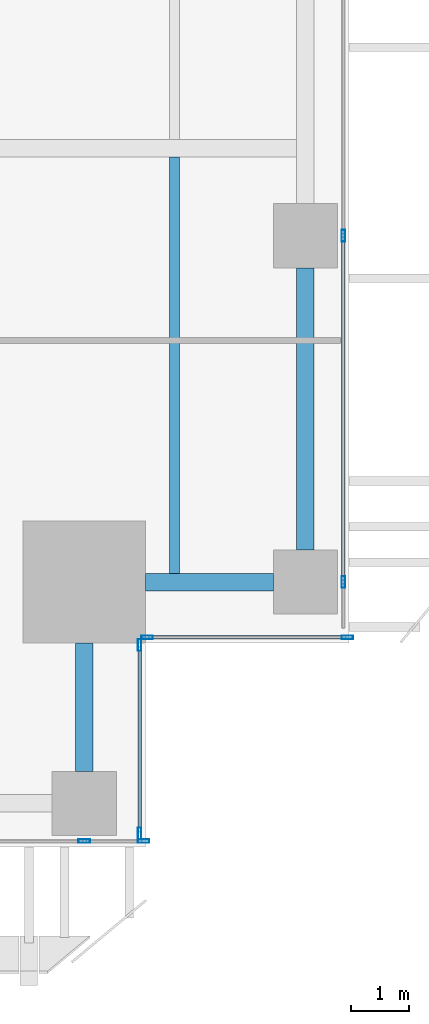
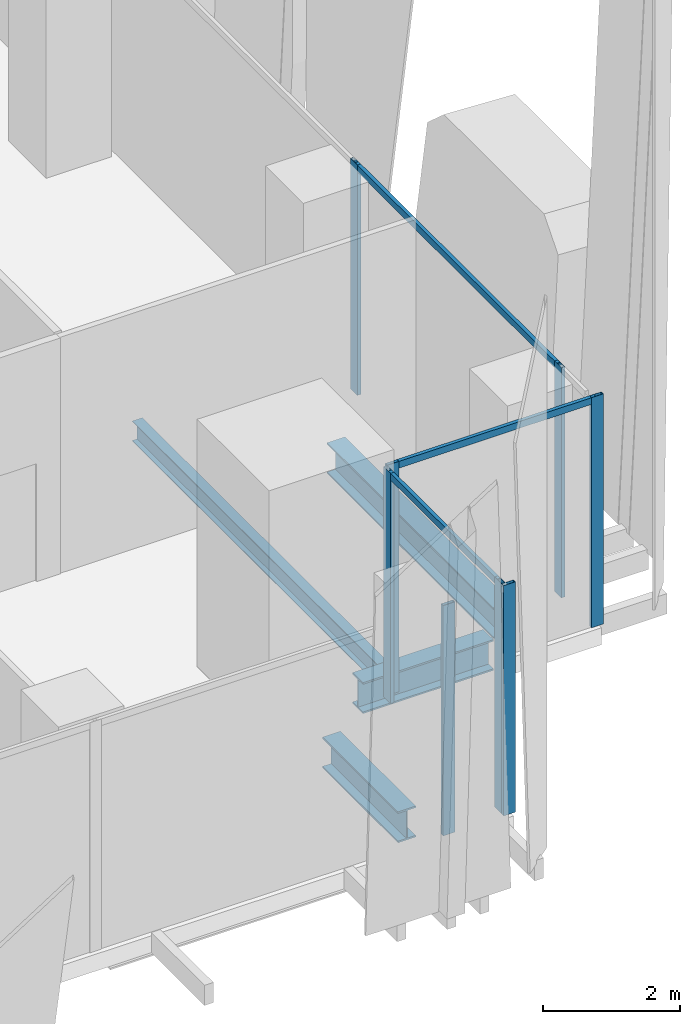
# One storey, part 9 of 34: 11 members, 4 beams, 4 elements without a shape of their own.
"""IFC4 building model written with IfcOpenShell, lengths in metres."""

from ifc_helpers import new_model, si_unit, direction, frame, origin, origin_2d, place, context, subcontext, project, spatial, hollow_rectangle, i_section, extrude, source, transform, mapped, material, material_profile, profile_set, type_object, element, aggregate, save


model = new_model("IFC4")

# Units and contexts
model_context = context("Model", 3, precision=1e-05, world=origin(), true_north=direction((0.0, 1.0)))
body_context = subcontext(model_context, "Body", "Model", "MODEL_VIEW")
ifc_project = project(units=[si_unit("LENGTHUNIT", "METRE"), si_unit("AREAUNIT", "SQUARE_METRE"), si_unit("VOLUMEUNIT", "CUBIC_METRE"), si_unit("PLANEANGLEUNIT", "RADIAN"), si_unit("MASSUNIT", "GRAM", prefix="KILO")], contexts=[model_context])

# Site, building, storey
site_placement = place(None, origin())
site = spatial("IfcSite", under=ifc_project, at=site_placement, CompositionType="ELEMENT")
building_placement = place(site_placement, origin())
building = spatial("IfcBuilding", under=site, at=building_placement, Name="Khomas Fold Tower", CompositionType="ELEMENT")
storey_placement = place(building_placement, frame((0.0, 0.0, 114.699951171875)))
storey = spatial("IfcBuildingStorey", under=building, at=storey_placement, Name="L24", CompositionType="ELEMENT", Elevation=114.699951171875)

# Beams
ifc_material_1 = material(Name="Steel S355", Category="steel")
ifc_material_profile_1 = material_profile(ifc_material_1, i_section(OverallWidth=0.169921875, OverallDepth=0.360107421875, WebThickness=0.008056640625, FlangeThickness=0.0126953125, at=origin_2d()), Name="IPE 360")
ifc_profile_set_1 = profile_set([ifc_material_profile_1], Name="Steel S355")
beam_type_1 = type_object("IfcBeamType", Name="IPE 360 beam JB2", PredefinedType="BEAM", material=ifc_profile_set_1)
shared_shape_1 = source(origin(), body_context, "Body", "SweptSolid", [
    extrude(i_section(OverallWidth=0.169921875, OverallDepth=0.360107421875, WebThickness=0.008056640625, FlangeThickness=0.0126953125, at=origin_2d()), origin(), (0.0, 0.0, 1.0), 7.150146484375),
])
beam_1_placement = place(storey_placement, frame((49.5, 6.199951171875, -0.47998046875), z_axis=(0.0, 1.0, 0.0), x_axis=(-1.0, 0.0, 0.0)))
element("IfcBeam", 1, at=beam_1_placement, inside=storey, type_object=beam_type_1, Name="JB2", PredefinedType="BEAM", context=body_context, shape_type="MappedRepresentation", body=[
    mapped(shared_shape_1, transform((0.0, 0.0, 0.0))),
])
ifc_material_2 = material(Name="Steel S355", Category="steel")
ifc_material_profile_2 = material_profile(ifc_material_2, i_section(OverallWidth=0.300048828125, OverallDepth=0.550048828125, WebThickness=0.014892578125, FlangeThickness=0.029052734375, at=origin_2d()), Name="HE 550 B")
ifc_profile_set_2 = profile_set([ifc_material_profile_2], Name="Steel S355")
beam_type_2 = type_object("IfcBeamType", Name="HE 550 B spandrel SB2", PredefinedType="SPANDREL", material=ifc_profile_set_2)
shared_shape_2 = source(origin(), body_context, "Body", "SweptSolid", [
    extrude(i_section(OverallWidth=0.300048828125, OverallDepth=0.550048828125, WebThickness=0.014892578125, FlangeThickness=0.029052734375, at=origin_2d()), origin(), (0.0, 0.0, 1.0), 4.849853515625),
])
beam_2_placement = place(storey_placement, frame((51.75, 6.60009765625, -0.574951171875), z_axis=(0.0, 1.0, 0.0), x_axis=(-1.0, 0.0, 0.0)))
element("IfcBeam", 2, at=beam_2_placement, inside=storey, type_object=beam_type_2, Name="SB2", PredefinedType="SPANDREL", context=body_context, shape_type="MappedRepresentation", body=[
    mapped(shared_shape_2, transform((0.0, 0.0, 0.0))),
])
shared_shape_3 = source(origin(), body_context, "Body", "SweptSolid", [
    extrude(i_section(OverallWidth=0.300048828125, OverallDepth=0.550048828125, WebThickness=0.014892578125, FlangeThickness=0.029052734375, at=origin_2d()), origin(), (0.0, 0.0, 1.0), 2.199951171875),
])
for number, where, z_axis, x_axis, name in (
    (3, (47.949951171875, 2.800048828125, -0.574951171875), (0.0, 1.0, 0.0), (-1.0, 0.0, 0.0), "SB2"),
    (4, (49.0, 6.050048828125, -0.574951171875), (1.0, 0.0, 0.0), (0.0, 1.0, 0.0), "SB2"),
):
    element("IfcBeam", number, at=place(storey_placement, frame(where, z_axis=z_axis, x_axis=x_axis)), inside=storey, type_object=beam_type_2, Name=name, PredefinedType="SPANDREL", context=body_context, shape_type="MappedRepresentation", body=[
        mapped(shared_shape_3, transform((0.0, 0.0, 0.0))),
    ])

# Curtain wall, members
ifc_material_3 = material(Name="Aluminium framed double glazing", Category="aluminium")
curtain_wall_type = type_object("IfcCurtainWallType", Name="SK-Unitised clear-glass wall, growing floors CW1", PredefinedType="NOTDEFINED", material=ifc_material_3)
curtain_wall_1_placement = place(storey_placement, origin())
curtain_wall_1 = element("IfcCurtainWall", 5, at=curtain_wall_1_placement, inside=storey, type_object=curtain_wall_type, Name="CW1 run L24 00-0", PredefinedType="NOTDEFINED")
ifc_material_4 = material(Name="Aluminium", Category="aluminium")
ifc_material_profile_3 = material_profile(ifc_material_4, hollow_rectangle(XDim=0.06005859375, YDim=0.199951171875, WallThickness=0.00390625, at=origin_2d()), Name="SK-Unitised clear-glass wall, growing floors mullion CW1-M")
ifc_profile_set_3 = profile_set([ifc_material_profile_3], Name="Aluminium")
member_type_1 = type_object("IfcMemberType", Name="SK-Unitised clear-glass wall, growing floors mullion CW1-M", PredefinedType="MULLION", material=ifc_profile_set_3)
shared_shape_4 = source(origin(), body_context, "Body", "SweptSolid", [
    extrude(hollow_rectangle(XDim=0.06005859375, YDim=0.199951171875, WallThickness=0.00390625, at=origin_2d()), origin(), (0.0, 0.0, 1.0), 4.10009765625),
])
member_1_placement = place(storey_placement, frame((47.949951171875, 1.60009765625, 0.0), z_axis=(0.0, 0.0, 1.0), x_axis=(0.0, 1.0, 0.0)))
member_1 = element("IfcMember", 6, at=member_1_placement, type_object=member_type_1, Name="CW1 mullion 8", PredefinedType="MULLION", context=body_context, shape_type="MappedRepresentation", body=[
    mapped(shared_shape_4, transform((0.0, 0.0, 0.0))),
])
member_2_placement = place(storey_placement, frame((48.969970703125, 1.60009765625, 0.0), z_axis=(0.0, 0.0, 1.0), x_axis=(0.0, 1.0, 0.0)))
member_2 = element("IfcMember", 7, at=member_2_placement, type_object=member_type_1, Name="CW1 mullion 9", PredefinedType="MULLION", context=body_context, shape_type="MappedRepresentation", body=[
    mapped(shared_shape_4, transform((0.0, 0.0, 0.0))),
])
aggregate(curtain_wall_1, [member_1, member_2])

curtain_wall_2_placement = place(storey_placement, origin())
curtain_wall_2 = element("IfcCurtainWall", 8, at=curtain_wall_2_placement, inside=storey, type_object=curtain_wall_type, Name="CW1 corner return L24 01", PredefinedType="NOTDEFINED")
member_3_placement = place(storey_placement, frame((48.89990234375, 1.72998046875, 0.0), z_axis=(0.0, 0.0, 1.0), x_axis=(-1.0, 0.0, 0.0)))
member_3 = element("IfcMember", 9, at=member_3_placement, type_object=member_type_1, Name="CW1 mullion 1", PredefinedType="MULLION", context=body_context, shape_type="MappedRepresentation", body=[
    mapped(shared_shape_4, transform((0.0, 0.0, 0.0))),
])
member_4_placement = place(storey_placement, frame((48.89990234375, 4.969970703125, 0.0), z_axis=(0.0, 0.0, 1.0), x_axis=(-1.0, 0.0, 0.0)))
member_4 = element("IfcMember", 10, at=member_4_placement, type_object=member_type_1, Name="CW1 mullion 2", PredefinedType="MULLION", context=body_context, shape_type="MappedRepresentation", body=[
    mapped(shared_shape_4, transform((0.0, 0.0, 0.0))),
])

curtain_wall_3_placement = place(storey_placement, origin())
curtain_wall_3 = element("IfcCurtainWall", 11, at=curtain_wall_3_placement, inside=storey, type_object=curtain_wall_type, Name="CW1 corner return L24 02", PredefinedType="NOTDEFINED")
member_5_placement = place(storey_placement, frame((49.030029296875, 5.10009765625, 0.0), z_axis=(0.0, 0.0, 1.0), x_axis=(0.0, 1.0, 0.0)))
member_5 = element("IfcMember", 12, at=member_5_placement, type_object=member_type_1, Name="CW1 mullion 1", PredefinedType="MULLION", context=body_context, shape_type="MappedRepresentation", body=[
    mapped(shared_shape_4, transform((0.0, 0.0, 0.0))),
])
member_6_placement = place(storey_placement, frame((52.469970703125, 5.10009765625, 0.0), z_axis=(0.0, 0.0, 1.0), x_axis=(0.0, 1.0, 0.0)))
member_6 = element("IfcMember", 13, at=member_6_placement, type_object=member_type_1, Name="CW1 mullion 2", PredefinedType="MULLION", context=body_context, shape_type="MappedRepresentation", body=[
    mapped(shared_shape_4, transform((0.0, 0.0, 0.0))),
])

curtain_wall_4_placement = place(storey_placement, origin())
curtain_wall_4 = element("IfcCurtainWall", 14, at=curtain_wall_4_placement, inside=storey, type_object=curtain_wall_type, Name="CW1 run L24 03-0", PredefinedType="NOTDEFINED")
member_7_placement = place(storey_placement, frame((52.39990234375, 6.050048828125, 0.0), z_axis=(0.0, 0.0, 1.0), x_axis=(-1.0, 0.0, 0.0)))
member_7 = element("IfcMember", 15, at=member_7_placement, type_object=member_type_1, Name="CW1 mullion 2", PredefinedType="MULLION", context=body_context, shape_type="MappedRepresentation", body=[
    mapped(shared_shape_4, transform((0.0, 0.0, 0.0))),
])
member_8_placement = place(storey_placement, frame((52.39990234375, 12.0, 0.0), z_axis=(0.0, 0.0, 1.0), x_axis=(-1.0, 0.0, 0.0)))
member_8 = element("IfcMember", 16, at=member_8_placement, type_object=member_type_1, Name="CW1 mullion 3", PredefinedType="MULLION", context=body_context, shape_type="MappedRepresentation", body=[
    mapped(shared_shape_4, transform((0.0, 0.0, 0.0))),
])
ifc_material_5 = material(Name="Aluminium", Category="aluminium")
ifc_material_profile_4 = material_profile(ifc_material_5, hollow_rectangle(XDim=0.06005859375, YDim=0.1201171875, WallThickness=0.00390625, at=origin_2d()), Name="SK-Unitised clear-glass wall, growing floors transom CW1-T")
ifc_profile_set_4 = profile_set([ifc_material_profile_4], Name="Aluminium")
member_type_2 = type_object("IfcMemberType", Name="SK-Unitised clear-glass wall, growing floors transom CW1-T", PredefinedType="USERDEFINED", material=ifc_profile_set_4)
shared_shape_5 = source(origin(), body_context, "Body", "SweptSolid", [
    extrude(hollow_rectangle(XDim=0.06005859375, YDim=0.1201171875, WallThickness=0.00390625, at=origin_2d()), origin(), (0.0, 0.0, 1.0), 5.889892578125),
])
member_9_placement = place(storey_placement, frame((52.39990234375, 6.080078125, 4.0400390625), z_axis=(0.0, 1.0, 0.0), x_axis=(-1.0, 0.0, 0.0)))
member_9 = element("IfcMember", 17, at=member_9_placement, type_object=member_type_2, Name="CW1 transom 2", ObjectType="TRANSOM", PredefinedType="USERDEFINED", context=body_context, shape_type="MappedRepresentation", body=[
    mapped(shared_shape_5, transform((0.0, 0.0, 0.0))),
])
aggregate(curtain_wall_4, [member_7, member_8, member_9])

# Member
shared_shape_6 = source(origin(), body_context, "Body", "SweptSolid", [
    extrude(hollow_rectangle(XDim=0.06005859375, YDim=0.1201171875, WallThickness=0.00390625, at=origin_2d()), origin(), (0.0, 0.0, 1.0), 3.179931640625),
])
member_10_placement = place(storey_placement, frame((48.89990234375, 1.760009765625, 4.0400390625), z_axis=(0.0, 1.0, 0.0), x_axis=(-1.0, 0.0, 0.0)))
member_10 = element("IfcMember", 18, at=member_10_placement, type_object=member_type_2, Name="CW1 transom 1", ObjectType="TRANSOM", PredefinedType="USERDEFINED", context=body_context, shape_type="MappedRepresentation", body=[
    mapped(shared_shape_6, transform((0.0, 0.0, 0.0))),
])

aggregate(curtain_wall_2, [member_3, member_4, member_10])

shared_shape_7 = source(origin(), body_context, "Body", "SweptSolid", [
    extrude(hollow_rectangle(XDim=0.06005859375, YDim=0.1201171875, WallThickness=0.00390625, at=origin_2d()), origin(), (0.0, 0.0, 1.0), 3.3798828125),
])
member_11_placement = place(storey_placement, frame((49.06005859375, 5.10009765625, 4.0400390625), z_axis=(1.0, 0.0, 0.0), x_axis=(0.0, 1.0, 0.0)))
member_11 = element("IfcMember", 19, at=member_11_placement, type_object=member_type_2, Name="CW1 transom 1", ObjectType="TRANSOM", PredefinedType="USERDEFINED", context=body_context, shape_type="MappedRepresentation", body=[
    mapped(shared_shape_7, transform((0.0, 0.0, 0.0))),
])

aggregate(curtain_wall_3, [member_5, member_6, member_11])

save(model, "model.ifc")
